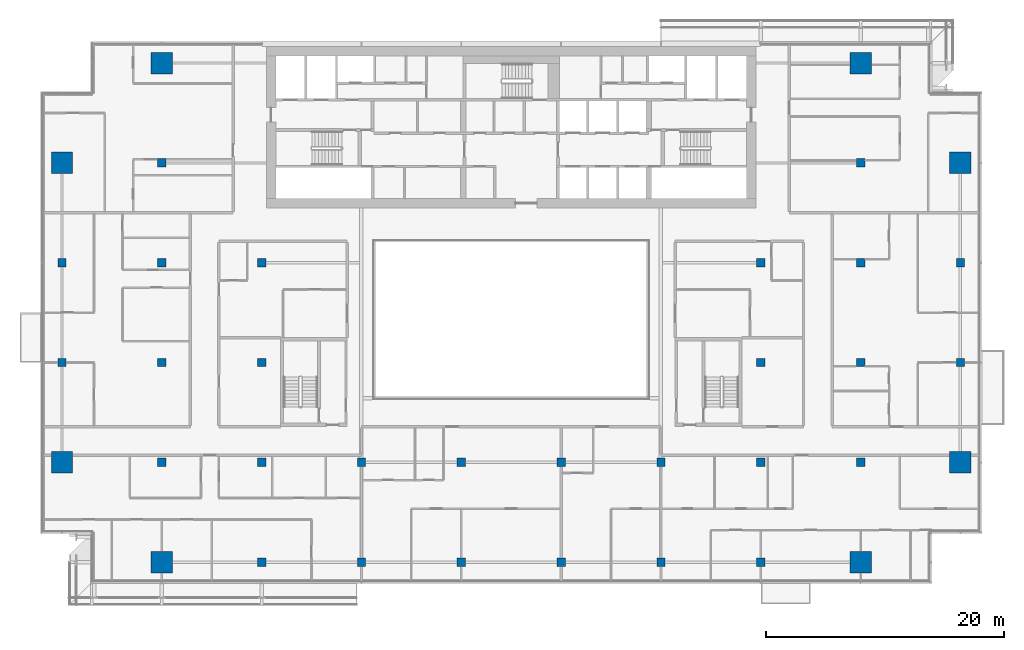
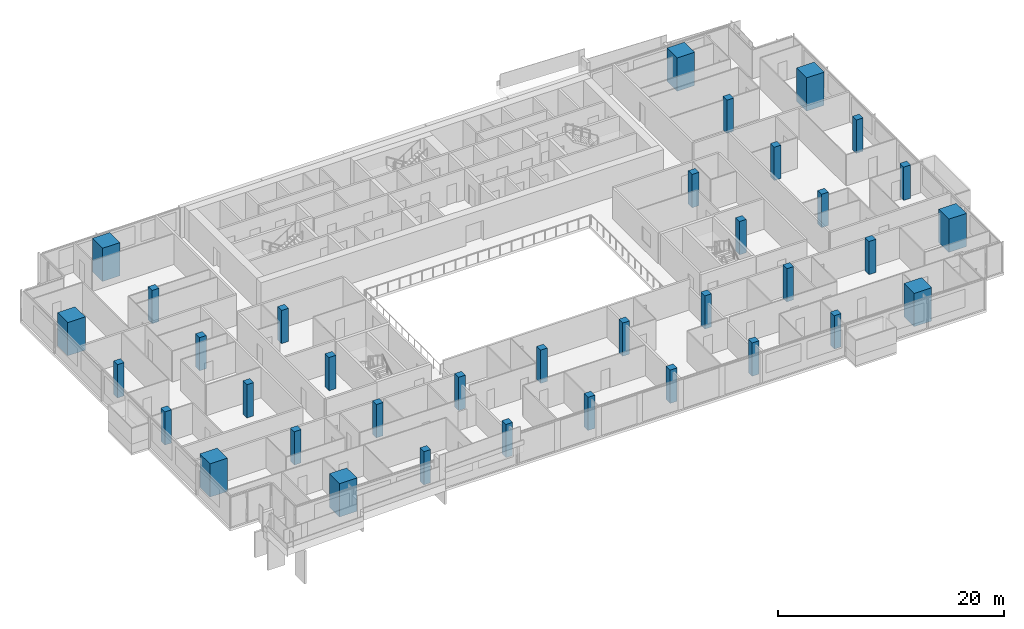
# One storey, part 1 of 30: 36 columns.
"""IFC4 building model written with IfcOpenShell, lengths in metres."""

from ifc_helpers import new_model, si_unit, direction, frame, origin, origin_2d, place, context, subcontext, project, spatial, rectangle, extrude, material, material_profile, profile_set, type_object, element, save


model = new_model("IFC4")

# Units and contexts
model_context = context("Model", 3, precision=1e-05, world=origin(), true_north=direction((0.0, 1.0)))
body_context = subcontext(model_context, "Body", "Model", "MODEL_VIEW")
ifc_project = project(units=[si_unit("LENGTHUNIT", "METRE"), si_unit("AREAUNIT", "SQUARE_METRE"), si_unit("VOLUMEUNIT", "CUBIC_METRE"), si_unit("PLANEANGLEUNIT", "RADIAN"), si_unit("MASSUNIT", "GRAM", prefix="KILO")], contexts=[model_context])

# Site, building, storey
site_placement = place(None, origin())
site = spatial("IfcSite", under=ifc_project, at=site_placement, CompositionType="ELEMENT")
building_placement = place(site_placement, origin())
building = spatial("IfcBuilding", under=site, at=building_placement, Name="Saffron Gate Tower", CompositionType="ELEMENT")
storey_placement = place(building_placement, frame((0.0, 0.0, 169.050048828125)))
storey = spatial("IfcBuildingStorey", under=building, at=storey_placement, Name="L41", CompositionType="ELEMENT", Elevation=169.050048828125)

# Columns
ifc_material_1 = material(Name="Concrete C50", Category="concrete")
ifc_material_profile_1 = material_profile(ifc_material_1, rectangle(XDim=0.699951171875, YDim=0.699951171875, at=origin_2d()))
ifc_profile_set_1 = profile_set([ifc_material_profile_1], Name="Concrete C50")
column_type_1 = type_object("IfcColumnType", Name="C3 RC 700x700 CONCRETE C50", PredefinedType="COLUMN", material=ifc_profile_set_1)
for number, where, z_axis, x_axis, name in (
    (1, (49.800048828125, 48.60009765625, 0.0), (0.0, 0.0, 1.0), (1.0, 0.0, 0.0), "C3 COLUMN X1-C"),
    (2, (49.800048828125, 57.0, 0.0), (0.0, 0.0, 1.0), (1.0, 0.0, 0.0), "C3 COLUMN X1-D"),
    (3, (58.199951171875, 40.199951171875, 0.0), (0.0, 0.0, 1.0), (1.0, 0.0, 0.0), "C3 COLUMN X2-B"),
    (4, (58.199951171875, 48.60009765625, 0.0), (0.0, 0.0, 1.0), (1.0, 0.0, 0.0), "C3 COLUMN X2-C"),
    (5, (58.199951171875, 57.0, 0.0), (0.0, 0.0, 1.0), (1.0, 0.0, 0.0), "C3 COLUMN X2-D"),
    (6, (58.199951171875, 65.39990234375, 0.0), (0.0, 0.0, 1.0), (1.0, 0.0, 0.0), "C3 COLUMN X2-E"),
    (7, (66.60009765625, 31.800048828125, 0.0), (0.0, 0.0, 1.0), (1.0, 0.0, 0.0), "C3 COLUMN X3-A"),
    (8, (66.60009765625, 40.199951171875, 0.0), (0.0, 0.0, 1.0), (1.0, 0.0, 0.0), "C3 COLUMN X3-B"),
    (9, (66.60009765625, 48.60009765625, 0.0), (0.0, 0.0, 1.0), (1.0, 0.0, 0.0), "C3 COLUMN X3-C"),
    (10, (66.60009765625, 57.0, 0.0), (0.0, 0.0, 1.0), (1.0, 0.0, 0.0), "C3 COLUMN X3-D"),
    (11, (75.0, 31.800048828125, 0.0), (0.0, 0.0, 1.0), (1.0, 0.0, 0.0), "C3 COLUMN X4-A"),
    (12, (75.0, 40.199951171875, 0.0), (0.0, 0.0, 1.0), (1.0, 0.0, 0.0), "C3 COLUMN X4-B"),
    (13, (83.39990234375, 31.800048828125, 0.0), (0.0, 0.0, 1.0), (1.0, 0.0, 0.0), "C3 COLUMN X5-A"),
    (14, (83.39990234375, 40.199951171875, 0.0), (0.0, 0.0, 1.0), (1.0, 0.0, 0.0), "C3 COLUMN X5-B"),
    (15, (91.800048828125, 31.800048828125, 0.0), (0.0, 0.0, 1.0), (1.0, 0.0, 0.0), "C3 COLUMN X6-A"),
    (16, (91.800048828125, 40.199951171875, 0.0), (0.0, 0.0, 1.0), (1.0, 0.0, 0.0), "C3 COLUMN X6-B"),
    (17, (100.199951171875, 31.800048828125, 0.0), (0.0, 0.0, 1.0), (1.0, 0.0, 0.0), "C3 COLUMN X7-A"),
    (18, (100.199951171875, 40.199951171875, 0.0), (0.0, 0.0, 1.0), (1.0, 0.0, 0.0), "C3 COLUMN X7-B"),
    (19, (108.60009765625, 31.800048828125, 0.0), (0.0, 0.0, 1.0), (1.0, 0.0, 0.0), "C3 COLUMN X8-A"),
    (20, (108.60009765625, 40.199951171875, 0.0), (0.0, 0.0, 1.0), (1.0, 0.0, 0.0), "C3 COLUMN X8-B"),
    (21, (108.60009765625, 48.60009765625, 0.0), (0.0, 0.0, 1.0), (1.0, 0.0, 0.0), "C3 COLUMN X8-C"),
    (22, (108.60009765625, 57.0, 0.0), (0.0, 0.0, 1.0), (1.0, 0.0, 0.0), "C3 COLUMN X8-D"),
    (23, (117.0, 40.199951171875, 0.0), (0.0, 0.0, 1.0), (1.0, 0.0, 0.0), "C3 COLUMN X9-B"),
    (24, (117.0, 48.60009765625, 0.0), (0.0, 0.0, 1.0), (1.0, 0.0, 0.0), "C3 COLUMN X9-C"),
    (25, (117.0, 57.0, 0.0), (0.0, 0.0, 1.0), (1.0, 0.0, 0.0), "C3 COLUMN X9-D"),
    (26, (117.0, 65.39990234375, 0.0), (0.0, 0.0, 1.0), (1.0, 0.0, 0.0), "C3 COLUMN X9-E"),
    (27, (125.39990234375, 48.60009765625, 0.0), (0.0, 0.0, 1.0), (1.0, 0.0, 0.0), "C3 COLUMN X10-C"),
    (28, (125.39990234375, 57.0, 0.0), (0.0, 0.0, 1.0), (1.0, 0.0, 0.0), "C3 COLUMN X10-D"),
):
    element("IfcColumn", number, at=place(storey_placement, frame(where, z_axis=z_axis, x_axis=x_axis)), inside=storey, type_object=column_type_1, Name=name, PredefinedType="COLUMN", context=body_context, shape_type="SweptSolid", body=[
        extrude(rectangle(XDim=0.699951171875, YDim=0.699951171875, at=origin_2d()), origin(), (0.0, 0.0, 1.0), 3.599853515625),
    ])
ifc_material_2 = material(Name="Concrete C70", Category="concrete")
ifc_material_profile_2 = material_profile(ifc_material_2, rectangle(XDim=1.800048828125, YDim=1.800048828125, at=origin_2d()))
ifc_profile_set_2 = profile_set([ifc_material_profile_2], Name="Concrete C70")
column_type_2 = type_object("IfcColumnType", Name="MC2 RC 1800x1800 CONCRETE C70", PredefinedType="COLUMN", material=ifc_profile_set_2)
for number, where, z_axis, x_axis, name in (
    (29, (49.800048828125, 40.199951171875, 0.0), (0.0, 0.0, 1.0), (1.0, 0.0, 0.0), "MC2 MEGA COLUMN X1-B"),
    (30, (49.800048828125, 65.39990234375, 0.0), (0.0, 0.0, 1.0), (1.0, 0.0, 0.0), "MC2 MEGA COLUMN X1-E"),
    (31, (58.199951171875, 31.800048828125, 0.0), (0.0, 0.0, 1.0), (1.0, 0.0, 0.0), "MC2 MEGA COLUMN X2-A"),
    (32, (58.199951171875, 73.800048828125, 0.0), (0.0, 0.0, 1.0), (1.0, 0.0, 0.0), "MC2 MEGA COLUMN X2-F"),
    (33, (117.0, 31.800048828125, 0.0), (0.0, 0.0, 1.0), (1.0, 0.0, 0.0), "MC2 MEGA COLUMN X9-A"),
    (34, (117.0, 73.800048828125, 0.0), (0.0, 0.0, 1.0), (1.0, 0.0, 0.0), "MC2 MEGA COLUMN X9-F"),
    (35, (125.39990234375, 40.199951171875, 0.0), (0.0, 0.0, 1.0), (1.0, 0.0, 0.0), "MC2 MEGA COLUMN X10-B"),
    (36, (125.39990234375, 65.39990234375, 0.0), (0.0, 0.0, 1.0), (1.0, 0.0, 0.0), "MC2 MEGA COLUMN X10-E"),
):
    element("IfcColumn", number, at=place(storey_placement, frame(where, z_axis=z_axis, x_axis=x_axis)), inside=storey, type_object=column_type_2, Name=name, PredefinedType="COLUMN", context=body_context, shape_type="SweptSolid", body=[
        extrude(rectangle(XDim=1.800048828125, YDim=1.800048828125, at=origin_2d()), origin(), (0.0, 0.0, 1.0), 3.599853515625),
    ])

save(model, "model.ifc")
